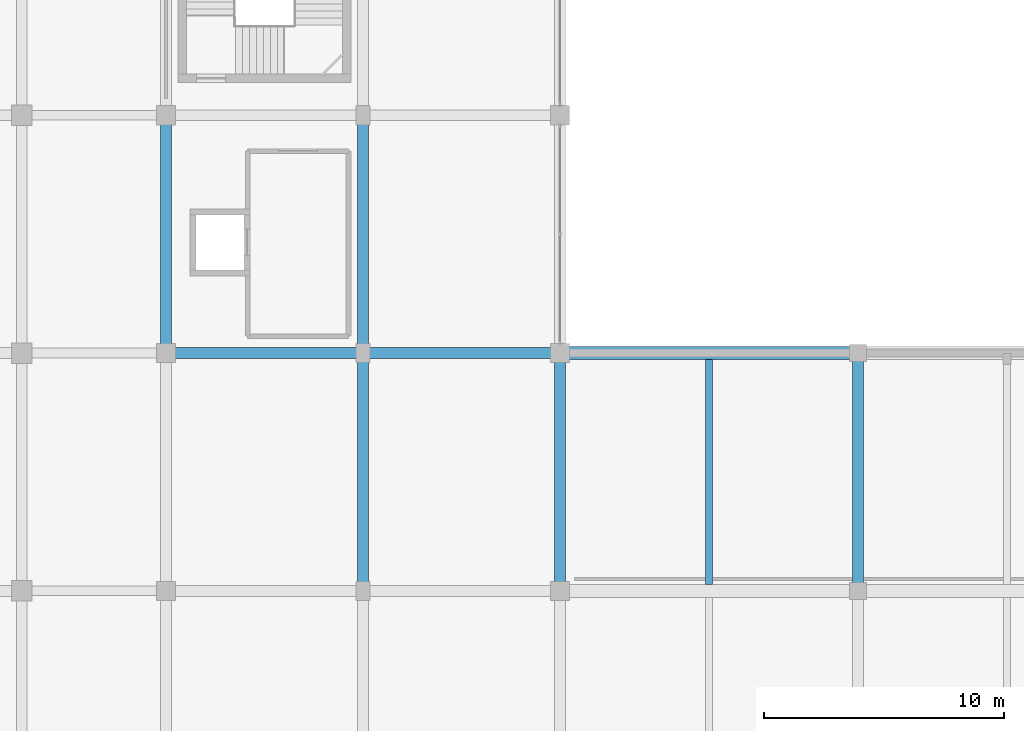
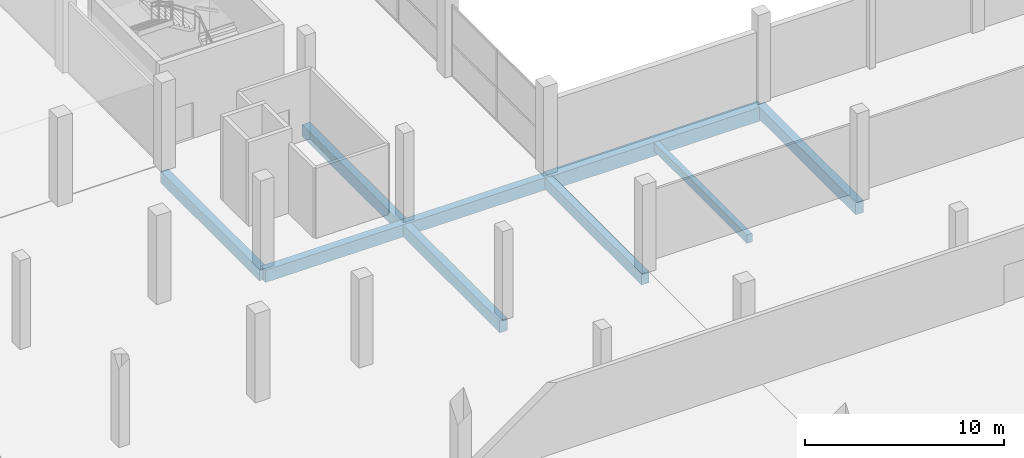
# One storey, part 7 of 72: 9 beams.
"""IFC4 building model written with IfcOpenShell, lengths in metres."""

from ifc_helpers import new_model, si_unit, direction, frame, origin, origin_2d, place, context, subcontext, project, spatial, rectangle, extrude, material, material_profile, profile_set, type_object, element, save


model = new_model("IFC4")

# Units and contexts
model_context = context("Model", 3, precision=1e-05, world=origin(), true_north=direction((0.0, 1.0)))
body_context = subcontext(model_context, "Body", "Model", "MODEL_VIEW")
ifc_project = project(units=[si_unit("LENGTHUNIT", "METRE"), si_unit("AREAUNIT", "SQUARE_METRE"), si_unit("VOLUMEUNIT", "CUBIC_METRE"), si_unit("PLANEANGLEUNIT", "RADIAN"), si_unit("MASSUNIT", "GRAM", prefix="KILO")], contexts=[model_context])

# Site, building, storey
site_placement = place(None, origin())
site = spatial("IfcSite", under=ifc_project, at=site_placement, CompositionType="ELEMENT")
building_placement = place(site_placement, origin())
building = spatial("IfcBuilding", under=site, at=building_placement, Name="Sillaruma Civic Art Gallery", CompositionType="ELEMENT")
storey_placement = place(building_placement, frame((0.0, 0.0, 10.8798828125)))
storey = spatial("IfcBuildingStorey", under=building, at=storey_placement, Name="L02", CompositionType="ELEMENT", Elevation=10.8798828125)

# Beams
ifc_material_1 = material(Name="Concrete H40 (40 MPa)", Category="concrete")
ifc_material_profile_1 = material_profile(ifc_material_1, rectangle(XDim=0.449951171875, YDim=0.75, at=origin_2d()), Name="RCB450x750")
ifc_profile_set_1 = profile_set([ifc_material_profile_1], Name="Concrete H40 (40 MPa)")
beam_type_1 = type_object("IfcBeamType", Name="BM-BEAM-RCB450x750", PredefinedType="BEAM", material=ifc_profile_set_1)
for number, where, z_axis, x_axis, name in (
    (1, (98.0, 39.60009765625, -0.634765625), (1.0, 0.0, 0.0), (0.0, 1.0, 0.0), "Beam BM-03 (L01:5:L-M)"),
    (2, (106.199951171875, 39.60009765625, -0.634765625), (1.0, 0.0, 0.0), (0.0, 1.0, 0.0), "Beam BM-03 (L01:5:M-N)"),
):
    element("IfcBeam", number, at=place(storey_placement, frame(where, z_axis=z_axis, x_axis=x_axis)), inside=storey, type_object=beam_type_1, Name=name, PredefinedType="BEAM", context=body_context, shape_type="SweptSolid", body=[
        extrude(rectangle(XDim=0.449951171875, YDim=0.75, at=origin_2d()), origin(), (0.0, 0.0, 1.0), 8.199951171875),
    ])
beam_1_placement = place(storey_placement, frame((106.199951171875, 29.699951171875, -0.634765625), z_axis=(0.0, 1.0, 0.0), x_axis=(-1.0, 0.0, 0.0)))
element("IfcBeam", 3, at=beam_1_placement, inside=storey, type_object=beam_type_1, Name="Beam BM-03 (L01:M:4-5)", PredefinedType="BEAM", context=body_context, shape_type="SweptSolid", body=[
    extrude(rectangle(XDim=0.449951171875, YDim=0.75, at=origin_2d()), origin(), (0.0, 0.0, 1.0), 9.900146484375),
])
beam_2_placement = place(storey_placement, frame((106.199951171875, 39.60009765625, -0.634765625), z_axis=(0.0, 1.0, 0.0), x_axis=(-1.0, 0.0, 0.0)))
element("IfcBeam", 4, at=beam_2_placement, inside=storey, type_object=beam_type_1, Name="Beam BM-03 (L01:M:5-6)", PredefinedType="BEAM", context=body_context, shape_type="SweptSolid", body=[
    extrude(rectangle(XDim=0.449951171875, YDim=0.75, at=origin_2d()), origin(), (0.0, 0.0, 1.0), 9.89990234375),
])
beam_3_placement = place(storey_placement, frame((126.800048828125, 29.699951171875, -0.634765625), z_axis=(0.0, 1.0, 0.0), x_axis=(-1.0, 0.0, 0.0)))
element("IfcBeam", 5, at=beam_3_placement, inside=storey, type_object=beam_type_1, Name="Beam BM-03 (L01:P:4-5)", PredefinedType="BEAM", context=body_context, shape_type="SweptSolid", body=[
    extrude(rectangle(XDim=0.449951171875, YDim=0.75, at=origin_2d()), origin(), (0.0, 0.0, 1.0), 9.900146484375),
])
ifc_material_profile_2 = material_profile(ifc_material_1, rectangle(XDim=0.550048828125, YDim=0.85009765625, at=origin_2d()), Name="RCB550x850")
ifc_profile_set_2 = profile_set([ifc_material_profile_2], Name="Concrete H40 (40 MPa)")
beam_type_2 = type_object("IfcBeamType", Name="BM-BEAM-RCB550x850", PredefinedType="BEAM", material=ifc_profile_set_2)
beam_4_placement = place(storey_placement, frame((114.39990234375, 39.60009765625, -0.684814453125), z_axis=(1.0, 0.0, 0.0), x_axis=(0.0, 1.0, 0.0)))
element("IfcBeam", 6, at=beam_4_placement, inside=storey, type_object=beam_type_2, Name="Beam BM-01 (L01:5:N-P)", PredefinedType="BEAM", context=body_context, shape_type="SweptSolid", body=[
    extrude(rectangle(XDim=0.550048828125, YDim=0.85009765625, at=origin_2d()), origin(), (0.0, 0.0, 1.0), 12.400146484375),
])
ifc_material_2 = material(Name="Concrete H35 (35 MPa)", Category="concrete")
ifc_material_profile_3 = material_profile(ifc_material_2, rectangle(XDim=0.300048828125, YDim=0.52001953125, at=origin_2d()), Name="RCB300x520")
ifc_profile_set_3 = profile_set([ifc_material_profile_3], Name="Concrete H35 (35 MPa)")
beam_type_3 = type_object("IfcBeamType", Name="BM-JOIST-RCB300x520", PredefinedType="JOIST", material=ifc_profile_set_3)
beam_5_placement = place(storey_placement, frame((120.60009765625, 29.97509765625, -0.519775390625), z_axis=(0.0, 1.0, 0.0), x_axis=(-1.0, 0.0, 0.0)))
element("IfcBeam", 7, at=beam_5_placement, inside=storey, type_object=beam_type_3, Name="Floor Joist JR-01 (L01:NP:4-5)", PredefinedType="JOIST", context=body_context, shape_type="SweptSolid", body=[
    extrude(rectangle(XDim=0.300048828125, YDim=0.52001953125, at=origin_2d()), origin(), (0.0, 0.0, 1.0), 9.349853515625),
])
ifc_material_profile_4 = material_profile(ifc_material_2, rectangle(XDim=0.449951171875, YDim=0.699951171875, at=origin_2d()), Name="RCB450x700")
ifc_profile_set_4 = profile_set([ifc_material_profile_4], Name="Concrete H35 (35 MPa)")
beam_type_4 = type_object("IfcBeamType", Name="BM-SPANDREL-RCB450x700", PredefinedType="SPANDREL", material=ifc_profile_set_4)
beam_6_placement = place(storey_placement, frame((98.0, 39.60009765625, -0.60986328125), z_axis=(0.0, 1.0, 0.0), x_axis=(-1.0, 0.0, 0.0)))
element("IfcBeam", 8, at=beam_6_placement, inside=storey, type_object=beam_type_4, Name="Beam BS-03 (L01:L:5-6)", PredefinedType="SPANDREL", context=body_context, shape_type="SweptSolid", body=[
    extrude(rectangle(XDim=0.449951171875, YDim=0.699951171875, at=origin_2d()), origin(), (0.0, 0.0, 1.0), 9.89990234375),
])
beam_7_placement = place(storey_placement, frame((114.39990234375, 29.699951171875, -0.60986328125), z_axis=(0.0, 1.0, 0.0), x_axis=(-1.0, 0.0, 0.0)))
element("IfcBeam", 9, at=beam_7_placement, inside=storey, type_object=beam_type_4, Name="Beam BS-03 (L01:N:4-5)", PredefinedType="SPANDREL", context=body_context, shape_type="SweptSolid", body=[
    extrude(rectangle(XDim=0.449951171875, YDim=0.699951171875, at=origin_2d()), origin(), (0.0, 0.0, 1.0), 9.900146484375),
])

save(model, "model.ifc")
